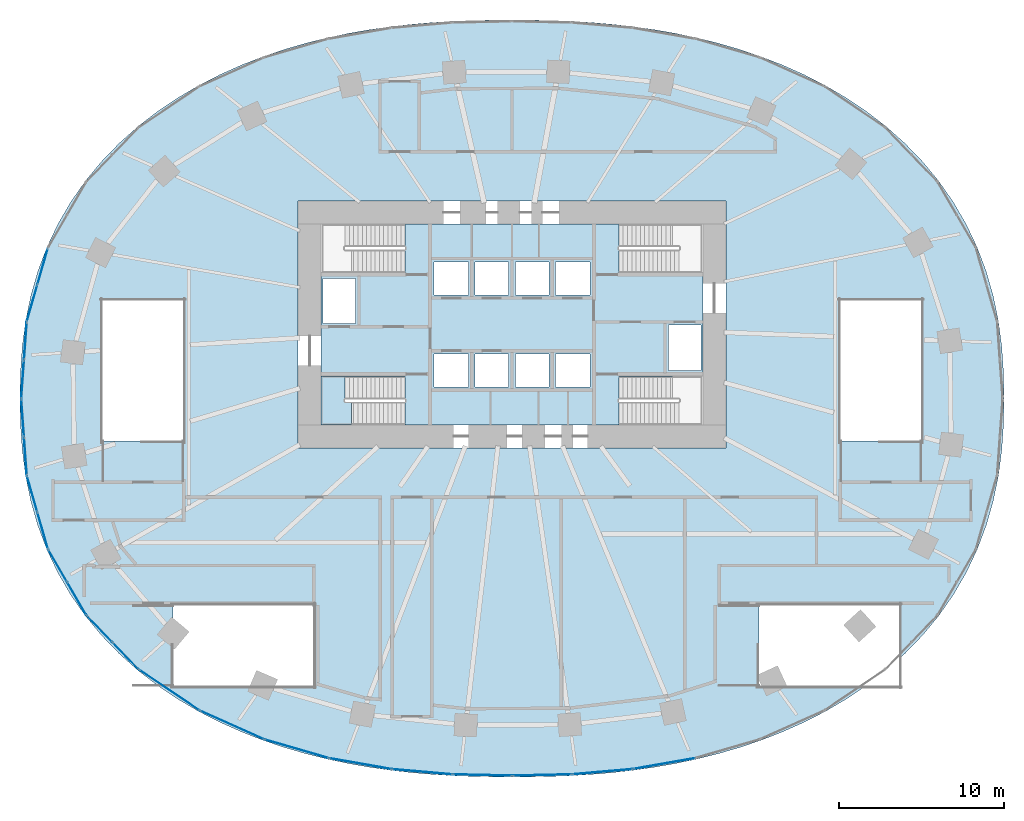
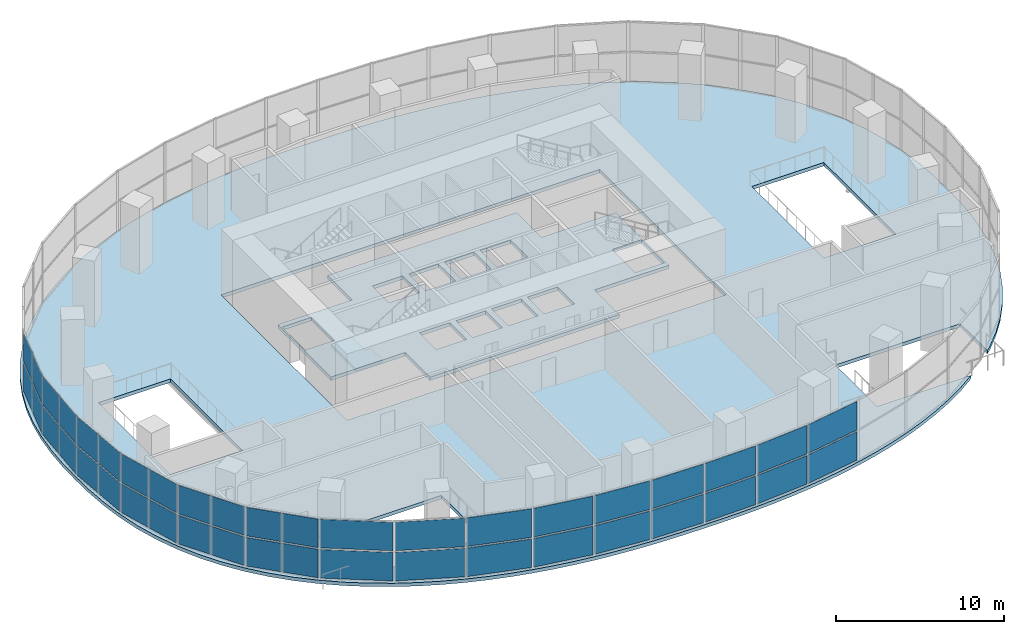
# One storey, part 9 of 17: 42 plates, 3 slabs, 16 elements without a shape of their own.
"""IFC4 building model written with IfcOpenShell, lengths in metres."""

import ifcopenshell
import ifcopenshell.guid

model = None  # the IFC model being written
_history = None  # IfcOwnerHistory: only IFC2X3 demands one
_inside = {}  # id of a spatial element -> (the spatial element, [elements in it])
_under = {}  # id of a project, library or spatial element -> (it, [spatial elements below it])
_declared = {}  # id of a project -> (the project, [libraries it declares])
_typed = {}  # id of a type object -> (the type object, [elements of that type])
_made_of = {}  # id of a material, layer set ... -> (it, [elements and type objects made of it])


def new_model(schema):
    """Start an empty IFC model of exactly this schema.

    Asked for "IFC4X3", IfcOpenShell would pick the latest addendum, in which some entities
    have other attributes; the version numbers below select the first issue.
    IFC2X3 requires an IfcOwnerHistory on every rooted entity: one is made here for all.
    """
    global model, _history
    if schema == "IFC4X3":
        model = ifcopenshell.file(schema_version=(4, 3, 0, 0))
    else:
        model = ifcopenshell.file(schema=schema)
    _inside.clear()
    _under.clear()
    _declared.clear()
    _typed.clear()
    _made_of.clear()
    _history = None
    if model.schema == "IFC2X3":
        org = make("IfcOrganization", Name="unknown")
        user = make(
            "IfcPersonAndOrganization",
            ThePerson=make("IfcPerson", FamilyName="unknown"),
            TheOrganization=org,
        )
        app = make(
            "IfcApplication",
            ApplicationDeveloper=org,
            Version="unknown",
            ApplicationFullName="unknown",
            ApplicationIdentifier="unknown",
        )
        _history = make(
            "IfcOwnerHistory",
            OwningUser=user,
            OwningApplication=app,
            ChangeAction="ADDED",
            CreationDate=0,
        )
    return model


def make(cls, **values):
    """One entity of the class cls with the attributes given. An attribute that is None is left unset."""
    return model.create_entity(
        cls, **{name: value for name, value in values.items() if value is not None}
    )


def rooted(cls, **values):
    """An entity with a GlobalId (a new one), such as an element, a storey or a relation."""
    return make(cls, GlobalId=ifcopenshell.guid.new(), OwnerHistory=_history, **values)


def si_unit(unit_type, name, prefix=None):
    """IfcSIUnit, for example si_unit("LENGTHUNIT", "METRE", prefix="MILLI")."""
    return make("IfcSIUnit", UnitType=unit_type, Prefix=prefix, Name=name)


def assignment(units):
    """IfcUnitAssignment: the units of a project."""
    return None if units is None else make("IfcUnitAssignment", Units=units)


def point(xyz):
    """IfcCartesianPoint."""
    return None if xyz is None else make("IfcCartesianPoint", Coordinates=xyz)


def direction(xyz):
    """IfcDirection."""
    return None if xyz is None else make("IfcDirection", DirectionRatios=xyz)


def frame(location, z_axis=None, x_axis=None):
    """IfcAxis2Placement3D, a coordinate frame: its origin and axes. An axis left out is left unset."""
    return make(
        "IfcAxis2Placement3D",
        Location=point(location),
        Axis=direction(z_axis),
        RefDirection=direction(x_axis),
    )


def frame_2d(location, x_axis=None):
    """IfcAxis2Placement2D, a coordinate frame in the plane: its origin and x axis."""
    return make(
        "IfcAxis2Placement2D", Location=point(location), RefDirection=direction(x_axis)
    )


def origin():
    """The frame at (0, 0, 0) with its axes left unset."""
    return frame((0.0, 0.0, 0.0))


def origin_2d():
    """The frame at (0, 0) in the plane with its x axis left unset."""
    return frame_2d((0.0, 0.0))


def place(relative_to, where):
    """IfcLocalPlacement: puts the frame where relative to a parent placement (None: the world)."""
    return make(
        "IfcLocalPlacement", PlacementRelTo=relative_to, RelativePlacement=where
    )


def context(
    kind, dimensions, precision=None, world=None, true_north=None, identifier=None
):
    """IfcGeometricRepresentationContext, for example the 3D "Model" context."""
    return make(
        "IfcGeometricRepresentationContext",
        ContextIdentifier=identifier,
        ContextType=kind,
        CoordinateSpaceDimension=dimensions,
        Precision=precision,
        WorldCoordinateSystem=world,
        TrueNorth=true_north,
    )


def subcontext(parent, identifier, kind, view, scale=None):
    """IfcGeometricRepresentationSubContext, for example "Body" below "Model"."""
    return make(
        "IfcGeometricRepresentationSubContext",
        ContextIdentifier=identifier,
        ContextType=kind,
        ParentContext=parent,
        TargetScale=scale,
        TargetView=view,
    )


def project(units=None, contexts=None):
    """IfcProject with its units and contexts."""
    return rooted(
        "IfcProject",
        Name="project",
        RepresentationContexts=contexts,
        UnitsInContext=assignment(units),
    )


def spatial(cls, under=None, at=None, **own):
    """A site, building, storey or space (cls), placed at a placement, below another one or the project."""
    s = rooted(cls, ObjectPlacement=at, **own)
    if under is not None:
        _under.setdefault(under.id(), (under, []))[1].append(s)
    return s


def polyline(points):
    """IfcPolyline through the points."""
    return make("IfcPolyline", Points=[point(p) for p in points])


def profile(cls, at=None, kind="AREA", **sizes):
    """A parametric profile (cls). Its sizes go by their IFC names, for example OverallWidth=200.0."""
    return make(cls, ProfileType=kind, Position=at, **sizes)


def rectangle(**sizes):
    """IfcRectangleProfileDef."""
    return profile("IfcRectangleProfileDef", **sizes)


def outline(outer, holes=None, kind="AREA"):
    """IfcArbitraryClosedProfileDef: a profile drawn as a closed curve; with holes, ...WithVoids."""
    if holes is None:
        return make("IfcArbitraryClosedProfileDef", ProfileType=kind, OuterCurve=outer)
    return make(
        "IfcArbitraryProfileDefWithVoids",
        ProfileType=kind,
        OuterCurve=outer,
        InnerCurves=holes,
    )


def extrude(swept, where, along, depth):
    """IfcExtrudedAreaSolid: the profile swept, set in the frame where, extruded along a direction by depth."""
    return make(
        "IfcExtrudedAreaSolid",
        SweptArea=swept,
        Position=where,
        ExtrudedDirection=direction(along),
        Depth=depth,
    )


def shape(context_of_items, identifier, shape_type, items):
    """IfcShapeRepresentation: the items that make up one representation, for example the "Body"."""
    return make(
        "IfcShapeRepresentation",
        ContextOfItems=context_of_items,
        RepresentationIdentifier=identifier,
        RepresentationType=shape_type,
        Items=items,
    )


def material(Name=None, Category=None):
    """IfcMaterial."""
    return make("IfcMaterial", Name=Name, Category=Category)


def layer(
    of_material, thickness, ventilated=None, Name=None, Category=None, Priority=None
):
    """IfcMaterialLayer: one layer of a wall or slab, of a material (None: an air gap)."""
    return make(
        "IfcMaterialLayer",
        Material=of_material,
        LayerThickness=thickness,
        IsVentilated=ventilated,
        Name=Name,
        Category=Category,
        Priority=Priority,
    )


def layer_set(layers, Name=None):
    """IfcMaterialLayerSet."""
    return make("IfcMaterialLayerSet", MaterialLayers=layers, LayerSetName=Name)


def made_of(thing, what):
    """Note that an element or type object is made of a material, layer set ...; save() writes the relation."""
    if what is not None:
        _made_of.setdefault(what.id(), (what, []))[1].append(thing)
    return thing


def type_object(cls, material=None, **own):
    """A type object (cls), such as IfcWallType, which elements share."""
    return made_of(rooted(cls, **own), material)


def element(
    cls,
    number,
    at=None,
    inside=None,
    cuts=None,
    type_object=None,
    material=None,
    context=None,
    identifier="Body",
    shape_type=None,
    held_by="IfcProductDefinitionShape",
    body=None,
    shapes=None,
    **own,
):
    """One element of the class cls, such as IfcWall. Its Tag is "e" and its number.

    at: its placement. inside: the storey or other place that contains it. cuts: it is an
    opening in that element (IfcRelVoidsElement). A single representation is given by context,
    identifier, shape_type and body (its items); several are given by shapes. held_by: the class
    of the entity that holds the representations. save() writes the other relations.
    """
    e = rooted(cls, Tag="e%d" % number, ObjectPlacement=at, **own)
    if body is not None:
        shapes = [shape(context, identifier, shape_type, body)]
    if shapes is not None:
        e.Representation = make(held_by, Representations=shapes)
    if inside is not None:
        _inside.setdefault(inside.id(), (inside, []))[1].append(e)
    if cuts is not None:
        rooted(
            "IfcRelVoidsElement", RelatingBuildingElement=cuts, RelatedOpeningElement=e
        )
    if type_object is not None:
        _typed.setdefault(type_object.id(), (type_object, []))[1].append(e)
    return made_of(e, material)


def aggregate(whole, parts):
    """IfcRelAggregates: a whole, such as a stair, and the parts it consists of."""
    return rooted("IfcRelAggregates", RelatingObject=whole, RelatedObjects=parts)


def save(model, path):
    """Write the relations noted so far, then the file.

    IfcRelAggregates (storeys below a building ...), IfcRelContainedInSpatialStructure (elements
    in a storey), IfcRelDefinesByType, IfcRelAssociatesMaterial and IfcRelDeclares: one each for
    every whole, place, type object, material and project.
    """
    for whole, parts in _under.values():
        aggregate(whole, parts)
    for where, things in _inside.values():
        rooted(
            "IfcRelContainedInSpatialStructure",
            RelatedElements=things,
            RelatingStructure=where,
        )
    for kind, things in _typed.values():
        rooted("IfcRelDefinesByType", RelatedObjects=things, RelatingType=kind)
    for what, things in _made_of.values():
        rooted("IfcRelAssociatesMaterial", RelatedObjects=things, RelatingMaterial=what)
    for by, libraries in _declared.values():
        rooted("IfcRelDeclares", RelatingContext=by, RelatedDefinitions=libraries)
    model.write(path)


model = new_model("IFC4")

# Units and contexts
model_context = context("Model", 3, precision=1e-05, world=origin(), true_north=direction((0.0, 1.0)))
body_context = subcontext(model_context, "Body", "Model", "MODEL_VIEW")
ifc_project = project(units=[si_unit("LENGTHUNIT", "METRE"), si_unit("AREAUNIT", "SQUARE_METRE"), si_unit("VOLUMEUNIT", "CUBIC_METRE"), si_unit("PLANEANGLEUNIT", "RADIAN"), si_unit("MASSUNIT", "GRAM", prefix="KILO")], contexts=[model_context])

# Site, building, storey
site_placement = place(None, origin())
site = spatial("IfcSite", under=ifc_project, at=site_placement, CompositionType="ELEMENT")
building_placement = place(site_placement, origin())
building = spatial("IfcBuilding", under=site, at=building_placement, Name="Rubra Terraces Tower", CompositionType="ELEMENT")
storey_placement = place(building_placement, frame((0.0, 0.0, 28.199951171875)))
storey = spatial("IfcBuildingStorey", under=building, at=storey_placement, Name="L04", CompositionType="ELEMENT", Elevation=28.199951171875)

# Slab
ifc_material_1 = material(Name="Concrete C40", Category="concrete")
ifc_layer_1 = layer(ifc_material_1, 0.25)
ifc_layer_set_1 = layer_set([ifc_layer_1], Name="Concrete C40")
slab_type_1 = type_object("IfcSlabType", Name="Core floor slab 250 concrete", PredefinedType="FLOOR", material=ifc_layer_set_1)
slab_1_placement = place(storey_placement, frame((0.0, 0.0, -0.25)))
element("IfcSlab", 1, at=slab_1_placement, inside=storey, type_object=slab_type_1, Name="CORE FLOOR SLAB L04", PredefinedType="FLOOR", context=body_context, shape_type="SweptSolid", body=[
    extrude(outline(polyline([(-11.60009765625, 1.347900390625), (-11.60009765625, 7.652099609375), (-6.501953125, 7.652099609375), (-6.501953125, 10.60009765625), (6.501953125, 10.60009765625), (6.501953125, 7.652099609375), (11.60009765625, 7.652099609375), (11.60009765625, 1.347900390625), (6.501953125, 1.347900390625), (6.501953125, -1.60009765625), (-6.501953125, -1.60009765625), (-6.501953125, 1.347900390625), (-11.60009765625, 1.347900390625)]), holes=[polyline([(9.5, 1.699951171875), (11.5, 1.699951171875), (11.5, 4.449951171875), (9.5, 4.449951171875), (9.5, 1.699951171875)]), polyline([(4.75, 0.699951171875), (4.75, 2.699951171875), (2.64990234375, 2.699951171875), (2.64990234375, 0.699951171875), (4.75, 0.699951171875)]), polyline([(4.75, 6.300048828125), (4.75, 8.300048828125), (2.64990234375, 8.300048828125), (2.64990234375, 6.300048828125), (4.75, 6.300048828125)]), polyline([(2.25, 0.699951171875), (2.25, 2.699951171875), (0.199951171875, 2.699951171875), (0.199951171875, 0.699951171875), (2.25, 0.699951171875)]), polyline([(2.25, 6.300048828125), (2.25, 8.300048828125), (0.199951171875, 8.300048828125), (0.199951171875, 6.300048828125), (2.25, 6.300048828125)]), polyline([(-0.199951171875, 0.699951171875), (-0.199951171875, 2.699951171875), (-2.25, 2.699951171875), (-2.25, 0.699951171875), (-0.199951171875, 0.699951171875)]), polyline([(-0.199951171875, 6.300048828125), (-0.199951171875, 8.300048828125), (-2.25, 8.300048828125), (-2.25, 6.300048828125), (-0.199951171875, 6.300048828125)]), polyline([(-2.64990234375, 0.699951171875), (-2.64990234375, 2.699951171875), (-4.75, 2.699951171875), (-4.75, 0.699951171875), (-2.64990234375, 0.699951171875)]), polyline([(-2.64990234375, 8.300048828125), (-4.75, 8.300048828125), (-4.75, 6.300048828125), (-2.64990234375, 6.300048828125), (-2.64990234375, 8.300048828125)]), polyline([(-9.5, 7.300048828125), (-11.5, 7.300048828125), (-11.5, 4.550048828125), (-9.5, 4.550048828125), (-9.5, 7.300048828125)])]), origin(), (0.0, 0.0, 1.0), 0.25),
])

# Stair, slab
stair_type = type_object("IfcStairType", Name="Core stair 1400", PredefinedType="HALF_TURN_STAIR", material=ifc_material_1)
stair_placement = place(storey_placement, origin())
stair = element("IfcStair", 2, at=stair_placement, inside=storey, type_object=stair_type, Name="L04 Exit stair S1", PredefinedType="HALF_TURN_STAIR")
ifc_layer_2 = layer(ifc_material_1, 0.199951171875)
ifc_layer_set_2 = layer_set([ifc_layer_2], Name="Concrete C40")
slab_type_2 = type_object("IfcSlabType", Name="Core stair landing 200", PredefinedType="LANDING", material=ifc_layer_set_2)
slab_2_placement = place(storey_placement, frame((0.0, 0.0, 2.199951171875)))
slab_2 = element("IfcSlab", 3, at=slab_2_placement, type_object=slab_type_2, Name="S1 landing 1", PredefinedType="LANDING", context=body_context, shape_type="SweptSolid", body=[
    extrude(outline(polyline([(-9.760009765625, -0.199951171875), (-9.760009765625, -1.60009765625), (-10.139892578125, -1.60009765625), (-10.159912109375, -1.60009765625), (-11.60009765625, -1.60009765625), (-11.60009765625, 1.35009765625), (-10.159912109375, 1.35009765625), (-10.137939453125, 1.35009765625), (-10.137939453125, -0.050048828125), (-10.139892578125, -0.050048828125), (-10.139892578125, -0.199951171875), (-9.760009765625, -0.199951171875)])), origin(), (0.0, 0.0, 1.0), 0.2001953125),
])
aggregate(stair, [slab_2])

# Slab
ifc_layer_3 = layer(ifc_material_1, 0.25)
ifc_layer_set_3 = layer_set([ifc_layer_3], Name="Concrete C40")
slab_type_3 = type_object("IfcSlabType", Name="FLOOR SLAB 250 COMPOSITE", PredefinedType="FLOOR", material=ifc_layer_set_3)
slab_3_placement = place(storey_placement, frame((0.0, 0.0, -0.25)))
element("IfcSlab", 4, at=slab_3_placement, inside=storey, type_object=slab_type_3, Name="FLOOR SLAB L04", PredefinedType="FLOOR", context=body_context, shape_type="SweptSolid", body=[
    extrude(outline(polyline([(28.819091796875, -7.719970703125), (29.25, -6.216064453125), (29.56298828125, -4.681884765625), (29.76708984375, -3.12890625), (29.873046875, -1.56591796875), (29.89990234375, 0.0), (29.873046875, 1.56591796875), (29.76708984375, 3.12890625), (29.56298828125, 4.681884765625), (29.25, 6.216064453125), (28.819091796875, 7.719970703125), (28.26806640625, 9.18505859375), (27.60205078125, 10.591064453125), (26.820068359375, 11.93603515625), (25.929931640625, 13.2119140625), (24.951904296875, 14.39501953125), (23.885009765625, 15.5), (22.739013671875, 16.52099609375), (21.555908203125, 17.43505859375), (20.31591796875, 18.27001953125), (19.02587890625, 19.02587890625), (17.7490234375, 19.679931640625), (16.43896484375, 20.264892578125), (15.10107421875, 20.784912109375), (13.80810546875, 21.219970703125), (12.4970703125, 21.60009765625), (11.173095703125, 21.927978515625), (9.904052734375, 22.194091796875), (8.626953125, 22.4169921875), (7.343017578125, 22.60009765625), (6.10791015625, 22.739013671875), (4.87109375, 22.844970703125), (3.6298828125, 22.922119140625), (2.4208984375, 22.968994140625), (1.2109375, 22.993896484375), (0.0, 23.0), (-1.2109375, 22.993896484375), (-2.4208984375, 22.968994140625), (-3.6298828125, 22.922119140625), (-4.87109375, 22.844970703125), (-6.10791015625, 22.739013671875), (-7.343017578125, 22.60009765625), (-8.626953125, 22.4169921875), (-9.904052734375, 22.194091796875), (-11.173095703125, 21.927978515625), (-12.4970703125, 21.60009765625), (-13.80810546875, 21.219970703125), (-15.10107421875, 20.784912109375), (-16.43896484375, 20.264892578125), (-17.7490234375, 19.679931640625), (-19.02587890625, 19.02587890625), (-20.31591796875, 18.27001953125), (-21.555908203125, 17.43505859375), (-22.739013671875, 16.52099609375), (-23.885009765625, 15.5), (-24.951904296875, 14.39501953125), (-25.929931640625, 13.2119140625), (-26.820068359375, 11.93603515625), (-27.60205078125, 10.591064453125), (-28.26806640625, 9.18505859375), (-28.819091796875, 7.719970703125), (-29.25, 6.216064453125), (-29.56298828125, 4.681884765625), (-29.76708984375, 3.12890625), (-29.873046875, 1.56591796875), (-29.89990234375, 0.0), (-29.873046875, -1.56591796875), (-29.76708984375, -3.12890625), (-29.56298828125, -4.681884765625), (-29.25, -6.216064453125), (-28.819091796875, -7.719970703125), (-28.26806640625, -9.18505859375), (-27.60205078125, -10.591064453125), (-26.820068359375, -11.93603515625), (-25.929931640625, -13.2119140625), (-24.951904296875, -14.39501953125), (-23.885009765625, -15.5), (-22.739013671875, -16.52099609375), (-21.555908203125, -17.43505859375), (-20.31591796875, -18.27001953125), (-19.02587890625, -19.02587890625), (-17.7490234375, -19.679931640625), (-16.43896484375, -20.264892578125), (-15.10107421875, -20.784912109375), (-13.80810546875, -21.219970703125), (-12.4970703125, -21.60009765625), (-11.173095703125, -21.927978515625), (-9.904052734375, -22.194091796875), (-8.626953125, -22.4169921875), (-7.343017578125, -22.60009765625), (-6.10791015625, -22.739013671875), (-4.87109375, -22.844970703125), (-3.6298828125, -22.922119140625), (-2.4208984375, -22.968994140625), (-1.2109375, -22.993896484375), (0.0, -23.0), (1.2109375, -22.993896484375), (2.4208984375, -22.968994140625), (3.6298828125, -22.922119140625), (4.87109375, -22.844970703125), (6.10791015625, -22.739013671875), (7.343017578125, -22.60009765625), (8.626953125, -22.4169921875), (9.904052734375, -22.194091796875), (11.173095703125, -21.927978515625), (12.4970703125, -21.60009765625), (13.80810546875, -21.219970703125), (15.10107421875, -20.784912109375), (16.43896484375, -20.264892578125), (17.7490234375, -19.679931640625), (19.02587890625, -19.02587890625), (20.31591796875, -18.27001953125), (21.458984375, -17.5), (15.0009765625, -17.5), (15.0009765625, -12.550048828125), (23.56005859375, -12.550048828125), (23.56005859375, -15.7900390625), (23.885009765625, -15.5), (24.951904296875, -14.39501953125), (25.929931640625, -13.2119140625), (26.820068359375, -11.93603515625), (27.60205078125, -10.591064453125), (28.26806640625, -9.18505859375), (28.819091796875, -7.719970703125)]), holes=[polyline([(13.0, 12.0), (13.0, -3.0), (-13.0, -3.0), (-13.0, 12.0), (13.0, 12.0)]), polyline([(-19.949951171875, -2.59912109375), (-24.89990234375, -2.59912109375), (-24.89990234375, 5.9599609375), (-19.949951171875, 5.9599609375), (-19.949951171875, -2.59912109375)]), polyline([(19.949951171875, -2.59912109375), (19.949951171875, 5.9599609375), (24.89990234375, 5.9599609375), (24.89990234375, -2.59912109375), (19.949951171875, -2.59912109375)]), polyline([(-12.0400390625, -12.550048828125), (-12.0400390625, -17.5), (-20.59912109375, -17.5), (-20.59912109375, -12.550048828125), (-12.0400390625, -12.550048828125)])]), origin(), (0.0, 0.0, 1.0), 0.25),
])

# Curtain wall, plates
ifc_material_2 = material(Name="Aluminium and glass", Category="aluminium")
curtain_wall_type = type_object("IfcCurtainWallType", Name="Curtain wall Podium glazing", PredefinedType="NOTDEFINED", material=ifc_material_2)
curtain_wall_1_placement = place(storey_placement, origin())
curtain_wall_1 = element("IfcCurtainWall", 5, at=curtain_wall_1_placement, inside=storey, type_object=curtain_wall_type, Name="L04 glazing bay 19", PredefinedType="NOTDEFINED")
ifc_material_3 = material(Name="Clear glass, laminated", Category="glass")
ifc_layer_4 = layer(ifc_material_3, 0.028076171875)
ifc_layer_set_4 = layer_set([ifc_layer_4], Name="Clear glass, laminated")
plate_type = type_object("IfcPlateType", Name="Podium glazing glass panel 28", PredefinedType="CURTAIN_PANEL", material=ifc_layer_set_4)
plate_1_placement = place(storey_placement, frame((-28.523681640625, 8.024169921875, 0.1201171875), z_axis=(0.0, 0.0, 1.0), x_axis=(-0.276383811798, -0.961047339404, 0.0)))
plate_1 = element("IfcPlate", 6, at=plate_1_placement, type_object=plate_type, Name="CW1 panel 1.1", PredefinedType="CURTAIN_PANEL", context=body_context, shape_type="SweptSolid", body=[
    extrude(rectangle(XDim=2.252685546875, YDim=0.028076171875, at=origin_2d()), origin(), (0.0, 0.0, 1.0), 2.070068359375),
])
plate_2_placement = place(storey_placement, frame((-28.523681640625, 8.024169921875, 2.31005859375), z_axis=(0.0, 0.0, 1.0), x_axis=(-0.276383811798, -0.961047339404, 0.0)))
plate_2 = element("IfcPlate", 7, at=plate_2_placement, type_object=plate_type, Name="CW1 panel 1.2", PredefinedType="CURTAIN_PANEL", context=body_context, shape_type="SweptSolid", body=[
    extrude(rectangle(XDim=2.252685546875, YDim=0.028076171875, at=origin_2d()), origin(), (0.0, 0.0, 1.0), 2.070068359375),
])
plate_3_placement = place(storey_placement, frame((-29.1630859375, 5.801513671875, 0.1201171875), z_axis=(0.0, 0.0, 1.0), x_axis=(-0.276383811798, -0.961047339404, 0.0)))
plate_3 = element("IfcPlate", 8, at=plate_3_placement, type_object=plate_type, Name="CW1 panel 2.1", PredefinedType="CURTAIN_PANEL", context=body_context, shape_type="SweptSolid", body=[
    extrude(rectangle(XDim=2.252685546875, YDim=0.028076171875, at=origin_2d()), origin(), (0.0, 0.0, 1.0), 2.070068359375),
])
plate_4_placement = place(storey_placement, frame((-29.1630859375, 5.801513671875, 2.31005859375), z_axis=(0.0, 0.0, 1.0), x_axis=(-0.276383811798, -0.961047339404, 0.0)))
plate_4 = element("IfcPlate", 9, at=plate_4_placement, type_object=plate_type, Name="CW1 panel 2.2", PredefinedType="CURTAIN_PANEL", context=body_context, shape_type="SweptSolid", body=[
    extrude(rectangle(XDim=2.252685546875, YDim=0.028076171875, at=origin_2d()), origin(), (0.0, 0.0, 1.0), 2.070068359375),
])
aggregate(curtain_wall_1, [plate_1, plate_2, plate_3, plate_4])

curtain_wall_2_placement = place(storey_placement, origin())
curtain_wall_2 = element("IfcCurtainWall", 10, at=curtain_wall_2_placement, inside=storey, type_object=curtain_wall_type, Name="L04 glazing bay 20", PredefinedType="NOTDEFINED")
plate_5_placement = place(storey_placement, frame((-29.573486328125, 3.4912109375, 0.1201171875), z_axis=(0.0, 0.0, 1.0), x_axis=(-0.071792057306, -0.997419621076, 0.0)))
plate_5 = element("IfcPlate", 11, at=plate_5_placement, type_object=plate_type, Name="CW1 panel 1.1", PredefinedType="CURTAIN_PANEL", context=body_context, shape_type="SweptSolid", body=[
    extrude(rectangle(XDim=2.257080078125, YDim=0.028076171875, at=origin_2d()), origin(), (0.0, 0.0, 1.0), 2.070068359375),
])
plate_6_placement = place(storey_placement, frame((-29.573486328125, 3.4912109375, 2.31005859375), z_axis=(0.0, 0.0, 1.0), x_axis=(-0.071792057306, -0.997419621076, 0.0)))
plate_6 = element("IfcPlate", 12, at=plate_6_placement, type_object=plate_type, Name="CW1 panel 1.2", PredefinedType="CURTAIN_PANEL", context=body_context, shape_type="SweptSolid", body=[
    extrude(rectangle(XDim=2.257080078125, YDim=0.028076171875, at=origin_2d()), origin(), (0.0, 0.0, 1.0), 2.070068359375),
])
plate_7_placement = place(storey_placement, frame((-29.739990234375, 1.18017578125, 0.1201171875), z_axis=(0.0, 0.0, 1.0), x_axis=(-0.071792057306, -0.997419621076, 0.0)))
plate_7 = element("IfcPlate", 13, at=plate_7_placement, type_object=plate_type, Name="CW1 panel 2.1", PredefinedType="CURTAIN_PANEL", context=body_context, shape_type="SweptSolid", body=[
    extrude(rectangle(XDim=2.257080078125, YDim=0.028076171875, at=origin_2d()), origin(), (0.0, 0.0, 1.0), 2.070068359375),
])
plate_8_placement = place(storey_placement, frame((-29.739990234375, 1.18017578125, 2.31005859375), z_axis=(0.0, 0.0, 1.0), x_axis=(-0.071792057306, -0.997419621076, 0.0)))
plate_8 = element("IfcPlate", 14, at=plate_8_placement, type_object=plate_type, Name="CW1 panel 2.2", PredefinedType="CURTAIN_PANEL", context=body_context, shape_type="SweptSolid", body=[
    extrude(rectangle(XDim=2.257080078125, YDim=0.028076171875, at=origin_2d()), origin(), (0.0, 0.0, 1.0), 2.070068359375),
])
aggregate(curtain_wall_2, [plate_5, plate_6, plate_7, plate_8])

curtain_wall_3_placement = place(storey_placement, origin())
curtain_wall_3 = element("IfcCurtainWall", 15, at=curtain_wall_3_placement, inside=storey, type_object=curtain_wall_type, Name="L04 glazing bay 21", PredefinedType="NOTDEFINED")
plate_9_placement = place(storey_placement, frame((-29.739990234375, -1.18017578125, 0.1201171875), z_axis=(0.0, 0.0, 1.0), x_axis=(0.071792057306, -0.997419621076, 0.0)))
plate_9 = element("IfcPlate", 16, at=plate_9_placement, type_object=plate_type, Name="CW1 panel 1.1", PredefinedType="CURTAIN_PANEL", context=body_context, shape_type="SweptSolid", body=[
    extrude(rectangle(XDim=2.257080078125, YDim=0.028076171875, at=origin_2d()), origin(), (0.0, 0.0, 1.0), 2.070068359375),
])
plate_10_placement = place(storey_placement, frame((-29.739990234375, -1.18017578125, 2.31005859375), z_axis=(0.0, 0.0, 1.0), x_axis=(0.071792057306, -0.997419621076, 0.0)))
plate_10 = element("IfcPlate", 17, at=plate_10_placement, type_object=plate_type, Name="CW1 panel 1.2", PredefinedType="CURTAIN_PANEL", context=body_context, shape_type="SweptSolid", body=[
    extrude(rectangle(XDim=2.257080078125, YDim=0.028076171875, at=origin_2d()), origin(), (0.0, 0.0, 1.0), 2.070068359375),
])
plate_11_placement = place(storey_placement, frame((-29.573486328125, -3.4912109375, 0.1201171875), z_axis=(0.0, 0.0, 1.0), x_axis=(0.071792057306, -0.997419621076, 0.0)))
plate_11 = element("IfcPlate", 18, at=plate_11_placement, type_object=plate_type, Name="CW1 panel 2.1", PredefinedType="CURTAIN_PANEL", context=body_context, shape_type="SweptSolid", body=[
    extrude(rectangle(XDim=2.257080078125, YDim=0.028076171875, at=origin_2d()), origin(), (0.0, 0.0, 1.0), 2.070068359375),
])
plate_12_placement = place(storey_placement, frame((-29.573486328125, -3.4912109375, 2.31005859375), z_axis=(0.0, 0.0, 1.0), x_axis=(0.071792057306, -0.997419621076, 0.0)))
plate_12 = element("IfcPlate", 19, at=plate_12_placement, type_object=plate_type, Name="CW1 panel 2.2", PredefinedType="CURTAIN_PANEL", context=body_context, shape_type="SweptSolid", body=[
    extrude(rectangle(XDim=2.257080078125, YDim=0.028076171875, at=origin_2d()), origin(), (0.0, 0.0, 1.0), 2.070068359375),
])
aggregate(curtain_wall_3, [plate_9, plate_10, plate_11, plate_12])

curtain_wall_4_placement = place(storey_placement, origin())
curtain_wall_4 = element("IfcCurtainWall", 20, at=curtain_wall_4_placement, inside=storey, type_object=curtain_wall_type, Name="L04 glazing bay 22", PredefinedType="NOTDEFINED")
plate_13_placement = place(storey_placement, frame((-29.1630859375, -5.801513671875, 0.1201171875), z_axis=(0.0, 0.0, 1.0), x_axis=(0.276383811798, -0.961047339404, 0.0)))
plate_13 = element("IfcPlate", 21, at=plate_13_placement, type_object=plate_type, Name="CW1 panel 1.1", PredefinedType="CURTAIN_PANEL", context=body_context, shape_type="SweptSolid", body=[
    extrude(rectangle(XDim=2.252685546875, YDim=0.028076171875, at=origin_2d()), origin(), (0.0, 0.0, 1.0), 2.070068359375),
])
plate_14_placement = place(storey_placement, frame((-29.1630859375, -5.801513671875, 2.31005859375), z_axis=(0.0, 0.0, 1.0), x_axis=(0.276383811798, -0.961047339404, 0.0)))
plate_14 = element("IfcPlate", 22, at=plate_14_placement, type_object=plate_type, Name="CW1 panel 1.2", PredefinedType="CURTAIN_PANEL", context=body_context, shape_type="SweptSolid", body=[
    extrude(rectangle(XDim=2.252685546875, YDim=0.028076171875, at=origin_2d()), origin(), (0.0, 0.0, 1.0), 2.070068359375),
])
plate_15_placement = place(storey_placement, frame((-28.523681640625, -8.024169921875, 0.1201171875), z_axis=(0.0, 0.0, 1.0), x_axis=(0.276383811798, -0.961047339404, 0.0)))
plate_15 = element("IfcPlate", 23, at=plate_15_placement, type_object=plate_type, Name="CW1 panel 2.1", PredefinedType="CURTAIN_PANEL", context=body_context, shape_type="SweptSolid", body=[
    extrude(rectangle(XDim=2.252685546875, YDim=0.028076171875, at=origin_2d()), origin(), (0.0, 0.0, 1.0), 2.070068359375),
])
plate_16_placement = place(storey_placement, frame((-28.523681640625, -8.024169921875, 2.31005859375), z_axis=(0.0, 0.0, 1.0), x_axis=(0.276383811798, -0.961047339404, 0.0)))
plate_16 = element("IfcPlate", 24, at=plate_16_placement, type_object=plate_type, Name="CW1 panel 2.2", PredefinedType="CURTAIN_PANEL", context=body_context, shape_type="SweptSolid", body=[
    extrude(rectangle(XDim=2.252685546875, YDim=0.028076171875, at=origin_2d()), origin(), (0.0, 0.0, 1.0), 2.070068359375),
])
aggregate(curtain_wall_4, [plate_13, plate_14, plate_15, plate_16])

curtain_wall_5_placement = place(storey_placement, origin())
curtain_wall_5 = element("IfcCurtainWall", 25, at=curtain_wall_5_placement, inside=storey, type_object=curtain_wall_type, Name="L04 glazing bay 23", PredefinedType="NOTDEFINED")
plate_17_placement = place(storey_placement, frame((-27.611083984375, -10.1669921875, 0.1201171875), z_axis=(0.0, 0.0, 1.0), x_axis=(0.502094070187, -0.864813011398, 0.0)))
plate_17 = element("IfcPlate", 26, at=plate_17_placement, type_object=plate_type, Name="CW1 panel 1.1", PredefinedType="CURTAIN_PANEL", context=body_context, shape_type="SweptSolid", body=[
    extrude(rectangle(XDim=2.23828125, YDim=0.028076171875, at=origin_2d()), origin(), (0.0, 0.0, 1.0), 2.070068359375),
])
plate_18_placement = place(storey_placement, frame((-27.611083984375, -10.1669921875, 2.31005859375), z_axis=(0.0, 0.0, 1.0), x_axis=(0.502094070187, -0.864813011398, 0.0)))
plate_18 = element("IfcPlate", 27, at=plate_18_placement, type_object=plate_type, Name="CW1 panel 1.2", PredefinedType="CURTAIN_PANEL", context=body_context, shape_type="SweptSolid", body=[
    extrude(rectangle(XDim=2.23828125, YDim=0.028076171875, at=origin_2d()), origin(), (0.0, 0.0, 1.0), 2.070068359375),
])
plate_19_placement = place(storey_placement, frame((-26.45703125, -12.154541015625, 0.1201171875), z_axis=(0.0, 0.0, 1.0), x_axis=(0.502094070187, -0.864813011398, 0.0)))
plate_19 = element("IfcPlate", 28, at=plate_19_placement, type_object=plate_type, Name="CW1 panel 2.1", PredefinedType="CURTAIN_PANEL", context=body_context, shape_type="SweptSolid", body=[
    extrude(rectangle(XDim=2.23828125, YDim=0.028076171875, at=origin_2d()), origin(), (0.0, 0.0, 1.0), 2.070068359375),
])
plate_20_placement = place(storey_placement, frame((-26.45703125, -12.154541015625, 2.31005859375), z_axis=(0.0, 0.0, 1.0), x_axis=(0.502094070187, -0.864813011398, 0.0)))
plate_20 = element("IfcPlate", 29, at=plate_20_placement, type_object=plate_type, Name="CW1 panel 2.2", PredefinedType="CURTAIN_PANEL", context=body_context, shape_type="SweptSolid", body=[
    extrude(rectangle(XDim=2.23828125, YDim=0.028076171875, at=origin_2d()), origin(), (0.0, 0.0, 1.0), 2.070068359375),
])
aggregate(curtain_wall_5, [plate_17, plate_18, plate_19, plate_20])

curtain_wall_6_placement = place(storey_placement, origin())
curtain_wall_6 = element("IfcCurtainWall", 30, at=curtain_wall_6_placement, inside=storey, type_object=curtain_wall_type, Name="L04 glazing bay 24", PredefinedType="NOTDEFINED")
plate_21_placement = place(storey_placement, frame((-25.06787109375, -13.998046875, 0.1201171875), z_axis=(0.0, 0.0, 1.0), x_axis=(0.69415569917, -0.71982488517, 0.0)))
plate_21 = element("IfcPlate", 31, at=plate_21_placement, type_object=plate_type, Name="CW1 panel 1.1", PredefinedType="CURTAIN_PANEL", context=body_context, shape_type="SweptSolid", body=[
    extrude(rectangle(XDim=2.20849609375, YDim=0.028076171875, at=origin_2d()), origin(), (0.0, 0.0, 1.0), 2.070068359375),
])
plate_22_placement = place(storey_placement, frame((-25.06787109375, -13.998046875, 2.31005859375), z_axis=(0.0, 0.0, 1.0), x_axis=(0.69415569917, -0.71982488517, 0.0)))
plate_22 = element("IfcPlate", 32, at=plate_22_placement, type_object=plate_type, Name="CW1 panel 1.2", PredefinedType="CURTAIN_PANEL", context=body_context, shape_type="SweptSolid", body=[
    extrude(rectangle(XDim=2.20849609375, YDim=0.028076171875, at=origin_2d()), origin(), (0.0, 0.0, 1.0), 2.070068359375),
])
plate_23_placement = place(storey_placement, frame((-23.4931640625, -15.630859375, 0.1201171875), z_axis=(0.0, 0.0, 1.0), x_axis=(0.69415569917, -0.71982488517, 0.0)))
plate_23 = element("IfcPlate", 33, at=plate_23_placement, type_object=plate_type, Name="CW1 panel 2.1", PredefinedType="CURTAIN_PANEL", context=body_context, shape_type="SweptSolid", body=[
    extrude(rectangle(XDim=2.20849609375, YDim=0.028076171875, at=origin_2d()), origin(), (0.0, 0.0, 1.0), 2.070068359375),
])
plate_24_placement = place(storey_placement, frame((-23.4931640625, -15.630859375, 2.31005859375), z_axis=(0.0, 0.0, 1.0), x_axis=(0.69415569917, -0.71982488517, 0.0)))
plate_24 = element("IfcPlate", 34, at=plate_24_placement, type_object=plate_type, Name="CW1 panel 2.2", PredefinedType="CURTAIN_PANEL", context=body_context, shape_type="SweptSolid", body=[
    extrude(rectangle(XDim=2.20849609375, YDim=0.028076171875, at=origin_2d()), origin(), (0.0, 0.0, 1.0), 2.070068359375),
])
aggregate(curtain_wall_6, [plate_21, plate_22, plate_23, plate_24])

curtain_wall_7_placement = place(storey_placement, origin())
curtain_wall_7 = element("IfcCurtainWall", 35, at=curtain_wall_7_placement, inside=storey, type_object=curtain_wall_type, Name="L04 glazing bay 25", PredefinedType="NOTDEFINED")
plate_25_placement = place(storey_placement, frame((-20.840576171875, -17.711181640625, 0.1201171875), z_axis=(0.0, 0.0, 1.0), x_axis=(0.828980654031, -0.55927727939, 0.0)))
plate_25 = element("IfcPlate", 36, at=plate_25_placement, type_object=plate_type, Name="CW1 panel 1.1", PredefinedType="CURTAIN_PANEL", context=body_context, shape_type="SweptSolid", body=[
    extrude(rectangle(XDim=4.35888671875, YDim=0.028076171875, at=origin_2d()), origin(), (0.0, 0.0, 1.0), 2.070068359375),
])
plate_26_placement = place(storey_placement, frame((-20.840576171875, -17.711181640625, 2.31005859375), z_axis=(0.0, 0.0, 1.0), x_axis=(0.828980654031, -0.55927727939, 0.0)))
plate_26 = element("IfcPlate", 37, at=plate_26_placement, type_object=plate_type, Name="CW1 panel 1.2", PredefinedType="CURTAIN_PANEL", context=body_context, shape_type="SweptSolid", body=[
    extrude(rectangle(XDim=4.35888671875, YDim=0.028076171875, at=origin_2d()), origin(), (0.0, 0.0, 1.0), 2.070068359375),
])
aggregate(curtain_wall_7, [plate_25, plate_26])

curtain_wall_8_placement = place(storey_placement, origin())
curtain_wall_8 = element("IfcCurtainWall", 38, at=curtain_wall_8_placement, inside=storey, type_object=curtain_wall_type, Name="L04 glazing bay 26", PredefinedType="NOTDEFINED")
plate_27_placement = place(storey_placement, frame((-17.03271484375, -19.837158203125, 0.1201171875), z_axis=(0.0, 0.0, 1.0), x_axis=(0.912551215254, -0.4089624427, 0.0)))
plate_27 = element("IfcPlate", 39, at=plate_27_placement, type_object=plate_type, Name="CW1 panel 1.1", PredefinedType="CURTAIN_PANEL", context=body_context, shape_type="SweptSolid", body=[
    extrude(rectangle(XDim=4.18115234375, YDim=0.028076171875, at=origin_2d()), origin(), (0.0, 0.0, 1.0), 2.070068359375),
])
plate_28_placement = place(storey_placement, frame((-17.03271484375, -19.837158203125, 2.31005859375), z_axis=(0.0, 0.0, 1.0), x_axis=(0.912551215254, -0.4089624427, 0.0)))
plate_28 = element("IfcPlate", 40, at=plate_28_placement, type_object=plate_type, Name="CW1 panel 1.2", PredefinedType="CURTAIN_PANEL", context=body_context, shape_type="SweptSolid", body=[
    extrude(rectangle(XDim=4.18115234375, YDim=0.028076171875, at=origin_2d()), origin(), (0.0, 0.0, 1.0), 2.070068359375),
])
aggregate(curtain_wall_8, [plate_27, plate_28])

curtain_wall_9_placement = place(storey_placement, origin())
curtain_wall_9 = element("IfcCurtainWall", 41, at=curtain_wall_9_placement, inside=storey, type_object=curtain_wall_type, Name="L04 glazing bay 27", PredefinedType="NOTDEFINED")
plate_29_placement = place(storey_placement, frame((-13.115966796875, -21.284423828125, 0.1201171875), z_axis=(0.0, 0.0, 1.0), x_axis=(0.96017502931, -0.279399200229, 0.0)))
plate_29 = element("IfcPlate", 42, at=plate_29_placement, type_object=plate_type, Name="CW1 panel 1.1", PredefinedType="CURTAIN_PANEL", context=body_context, shape_type="SweptSolid", body=[
    extrude(rectangle(XDim=3.970947265625, YDim=0.028076171875, at=origin_2d()), origin(), (0.0, 0.0, 1.0), 2.070068359375),
])
plate_30_placement = place(storey_placement, frame((-13.115966796875, -21.284423828125, 2.31005859375), z_axis=(0.0, 0.0, 1.0), x_axis=(0.96017502931, -0.279399200229, 0.0)))
plate_30 = element("IfcPlate", 43, at=plate_30_placement, type_object=plate_type, Name="CW1 panel 1.2", PredefinedType="CURTAIN_PANEL", context=body_context, shape_type="SweptSolid", body=[
    extrude(rectangle(XDim=3.970947265625, YDim=0.028076171875, at=origin_2d()), origin(), (0.0, 0.0, 1.0), 2.070068359375),
])
aggregate(curtain_wall_9, [plate_29, plate_30])

curtain_wall_10_placement = place(storey_placement, origin())
curtain_wall_10 = element("IfcCurtainWall", 44, at=curtain_wall_10_placement, inside=storey, type_object=curtain_wall_type, Name="L04 glazing bay 28", PredefinedType="NOTDEFINED")
plate_31_placement = place(storey_placement, frame((-9.2451171875, -22.190185546875, 0.1201171875), z_axis=(0.0, 0.0, 1.0), x_axis=(0.984953952909, -0.172816985997, 0.0)))
plate_31 = element("IfcPlate", 45, at=plate_31_placement, type_object=plate_type, Name="CW1 panel 1.1", PredefinedType="CURTAIN_PANEL", context=body_context, shape_type="SweptSolid", body=[
    extrude(rectangle(XDim=3.7685546875, YDim=0.028076171875, at=origin_2d()), origin(), (0.0, 0.0, 1.0), 2.070068359375),
])
plate_32_placement = place(storey_placement, frame((-9.2451171875, -22.190185546875, 2.31005859375), z_axis=(0.0, 0.0, 1.0), x_axis=(0.984953952909, -0.172816985997, 0.0)))
plate_32 = element("IfcPlate", 46, at=plate_32_placement, type_object=plate_type, Name="CW1 panel 1.2", PredefinedType="CURTAIN_PANEL", context=body_context, shape_type="SweptSolid", body=[
    extrude(rectangle(XDim=3.7685546875, YDim=0.028076171875, at=origin_2d()), origin(), (0.0, 0.0, 1.0), 2.070068359375),
])
aggregate(curtain_wall_10, [plate_31, plate_32])

curtain_wall_11_placement = place(storey_placement, origin())
curtain_wall_11 = element("IfcCurtainWall", 47, at=curtain_wall_11_placement, inside=storey, type_object=curtain_wall_type, Name="L04 glazing bay 29", PredefinedType="NOTDEFINED")
plate_33_placement = place(storey_placement, frame((-5.47998046875, -22.686279296875, 0.1201171875), z_axis=(0.0, 0.0, 1.0), x_axis=(0.996260697637, -0.08639804595, 0.0)))
plate_33 = element("IfcPlate", 48, at=plate_33_placement, type_object=plate_type, Name="CW1 panel 1.1", PredefinedType="CURTAIN_PANEL", context=body_context, shape_type="SweptSolid", body=[
    extrude(rectangle(XDim=3.60693359375, YDim=0.028076171875, at=origin_2d()), origin(), (0.0, 0.0, 1.0), 2.070068359375),
])
plate_34_placement = place(storey_placement, frame((-5.47998046875, -22.686279296875, 2.31005859375), z_axis=(0.0, 0.0, 1.0), x_axis=(0.996260697637, -0.08639804595, 0.0)))
plate_34 = element("IfcPlate", 49, at=plate_34_placement, type_object=plate_type, Name="CW1 panel 1.2", PredefinedType="CURTAIN_PANEL", context=body_context, shape_type="SweptSolid", body=[
    extrude(rectangle(XDim=3.60693359375, YDim=0.028076171875, at=origin_2d()), origin(), (0.0, 0.0, 1.0), 2.070068359375),
])
aggregate(curtain_wall_11, [plate_33, plate_34])

curtain_wall_12_placement = place(storey_placement, origin())
curtain_wall_12 = element("IfcCurtainWall", 50, at=curtain_wall_12_placement, inside=storey, type_object=curtain_wall_type, Name="L04 glazing bay 30", PredefinedType="NOTDEFINED")
plate_35_placement = place(storey_placement, frame((-1.8134765625, -22.885986328125, 0.1201171875), z_axis=(0.0, 0.0, 1.0), x_axis=(0.999769221365, -0.021482644428, 0.0)))
plate_35 = element("IfcPlate", 51, at=plate_35_placement, type_object=plate_type, Name="CW1 panel 1.1", PredefinedType="CURTAIN_PANEL", context=body_context, shape_type="SweptSolid", body=[
    extrude(rectangle(XDim=3.5107421875, YDim=0.028076171875, at=origin_2d()), origin(), (0.0, 0.0, 1.0), 2.070068359375),
])
plate_36_placement = place(storey_placement, frame((-1.8134765625, -22.885986328125, 2.31005859375), z_axis=(0.0, 0.0, 1.0), x_axis=(0.999769221365, -0.021482644428, 0.0)))
plate_36 = element("IfcPlate", 52, at=plate_36_placement, type_object=plate_type, Name="CW1 panel 1.2", PredefinedType="CURTAIN_PANEL", context=body_context, shape_type="SweptSolid", body=[
    extrude(rectangle(XDim=3.5107421875, YDim=0.028076171875, at=origin_2d()), origin(), (0.0, 0.0, 1.0), 2.070068359375),
])
aggregate(curtain_wall_12, [plate_35, plate_36])

curtain_wall_13_placement = place(storey_placement, origin())
curtain_wall_13 = element("IfcCurtainWall", 53, at=curtain_wall_13_placement, inside=storey, type_object=curtain_wall_type, Name="L04 glazing bay 31", PredefinedType="NOTDEFINED")
plate_37_placement = place(storey_placement, frame((1.8134765625, -22.885986328125, 0.1201171875), z_axis=(0.0, 0.0, 1.0), x_axis=(0.999769221365, 0.021482644428, 0.0)))
plate_37 = element("IfcPlate", 54, at=plate_37_placement, type_object=plate_type, Name="CW1 panel 1.1", PredefinedType="CURTAIN_PANEL", context=body_context, shape_type="SweptSolid", body=[
    extrude(rectangle(XDim=3.5107421875, YDim=0.028076171875, at=origin_2d()), origin(), (0.0, 0.0, 1.0), 2.070068359375),
])
plate_38_placement = place(storey_placement, frame((1.8134765625, -22.885986328125, 2.31005859375), z_axis=(0.0, 0.0, 1.0), x_axis=(0.999769221365, 0.021482644428, 0.0)))
plate_38 = element("IfcPlate", 55, at=plate_38_placement, type_object=plate_type, Name="CW1 panel 1.2", PredefinedType="CURTAIN_PANEL", context=body_context, shape_type="SweptSolid", body=[
    extrude(rectangle(XDim=3.5107421875, YDim=0.028076171875, at=origin_2d()), origin(), (0.0, 0.0, 1.0), 2.070068359375),
])
aggregate(curtain_wall_13, [plate_37, plate_38])

curtain_wall_14_placement = place(storey_placement, origin())
curtain_wall_14 = element("IfcCurtainWall", 56, at=curtain_wall_14_placement, inside=storey, type_object=curtain_wall_type, Name="L04 glazing bay 32", PredefinedType="NOTDEFINED")
plate_39_placement = place(storey_placement, frame((5.47998046875, -22.686279296875, 0.1201171875), z_axis=(0.0, 0.0, 1.0), x_axis=(0.996260697637, 0.08639804595, 0.0)))
plate_39 = element("IfcPlate", 57, at=plate_39_placement, type_object=plate_type, Name="CW1 panel 1.1", PredefinedType="CURTAIN_PANEL", context=body_context, shape_type="SweptSolid", body=[
    extrude(rectangle(XDim=3.60693359375, YDim=0.028076171875, at=origin_2d()), origin(), (0.0, 0.0, 1.0), 2.070068359375),
])
plate_40_placement = place(storey_placement, frame((5.47998046875, -22.686279296875, 2.31005859375), z_axis=(0.0, 0.0, 1.0), x_axis=(0.996260697637, 0.08639804595, 0.0)))
plate_40 = element("IfcPlate", 58, at=plate_40_placement, type_object=plate_type, Name="CW1 panel 1.2", PredefinedType="CURTAIN_PANEL", context=body_context, shape_type="SweptSolid", body=[
    extrude(rectangle(XDim=3.60693359375, YDim=0.028076171875, at=origin_2d()), origin(), (0.0, 0.0, 1.0), 2.070068359375),
])
aggregate(curtain_wall_14, [plate_39, plate_40])

curtain_wall_15_placement = place(storey_placement, origin())
curtain_wall_15 = element("IfcCurtainWall", 59, at=curtain_wall_15_placement, inside=storey, type_object=curtain_wall_type, Name="L04 glazing bay 33", PredefinedType="NOTDEFINED")
plate_41_placement = place(storey_placement, frame((9.2451171875, -22.190185546875, 0.1201171875), z_axis=(0.0, 0.0, 1.0), x_axis=(0.984953952909, 0.172816985997, 0.0)))
plate_41 = element("IfcPlate", 60, at=plate_41_placement, type_object=plate_type, Name="CW1 panel 1.1", PredefinedType="CURTAIN_PANEL", context=body_context, shape_type="SweptSolid", body=[
    extrude(rectangle(XDim=3.7685546875, YDim=0.028076171875, at=origin_2d()), origin(), (0.0, 0.0, 1.0), 2.070068359375),
])
plate_42_placement = place(storey_placement, frame((9.2451171875, -22.190185546875, 2.31005859375), z_axis=(0.0, 0.0, 1.0), x_axis=(0.984953952909, 0.172816985997, 0.0)))
plate_42 = element("IfcPlate", 61, at=plate_42_placement, type_object=plate_type, Name="CW1 panel 1.2", PredefinedType="CURTAIN_PANEL", context=body_context, shape_type="SweptSolid", body=[
    extrude(rectangle(XDim=3.7685546875, YDim=0.028076171875, at=origin_2d()), origin(), (0.0, 0.0, 1.0), 2.070068359375),
])
aggregate(curtain_wall_15, [plate_41, plate_42])

save(model, "model.ifc")
